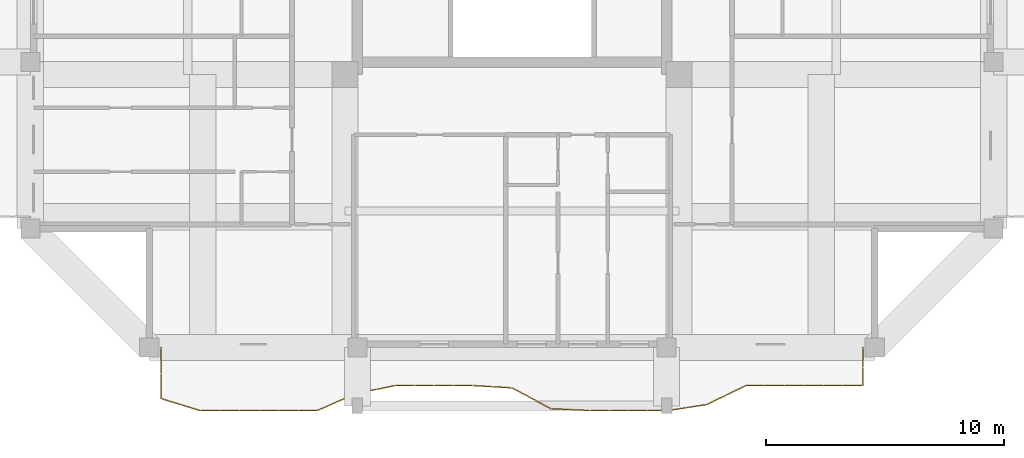
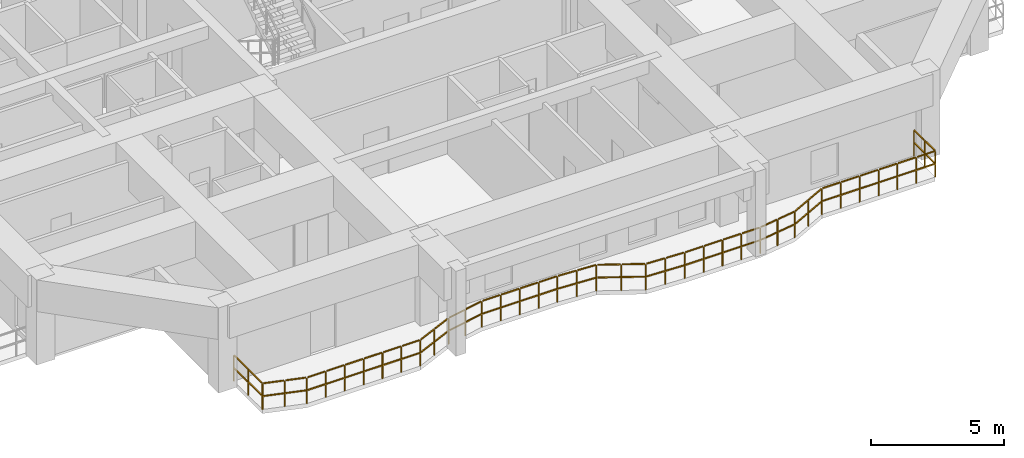
# One storey, part 9 of 13: 1 railing.
"""IFC4 building model written with IfcOpenShell, lengths in metres."""

from ifc_helpers import new_model, si_unit, direction, frame, origin, origin_2d, place, context, subcontext, project, spatial, rectangle, extrude, material, type_object, element, save


model = new_model("IFC4")

# Units and contexts
model_context = context("Model", 3, precision=1e-05, world=origin(), true_north=direction((0.0, 1.0)))
body_context = subcontext(model_context, "Body", "Model", "MODEL_VIEW")
ifc_project = project(units=[si_unit("LENGTHUNIT", "METRE"), si_unit("AREAUNIT", "SQUARE_METRE"), si_unit("VOLUMEUNIT", "CUBIC_METRE"), si_unit("PLANEANGLEUNIT", "RADIAN"), si_unit("MASSUNIT", "GRAM", prefix="KILO")], contexts=[model_context])

# Site, building, storey
site_placement = place(None, origin())
site = spatial("IfcSite", under=ifc_project, at=site_placement, CompositionType="ELEMENT")
building_placement = place(site_placement, origin())
building = spatial("IfcBuilding", under=site, at=building_placement, Name="Saelheon Loggia Tower", CompositionType="ELEMENT")
storey_placement = place(building_placement, frame((0.0, 0.0, 192.699951171875)))
storey = spatial("IfcBuildingStorey", under=building, at=storey_placement, Name="L60", CompositionType="ELEMENT", Elevation=192.699951171875)

# Railing
ifc_material = material(Name="Architectural Precast Concrete and Laminated Glass Guard", Category="concrete")
railing_type = type_object("IfcRailingType", Name="Guard_Loggia_RL_LOG", PredefinedType="BALUSTRADE", material=ifc_material)
railing_placement = place(storey_placement, frame((23.25, 6.0, 0.0)))
element("IfcRailing", 1, at=railing_placement, inside=storey, type_object=railing_type, Name="L60 South Loggia Balustrade", PredefinedType="BALUSTRADE", context=body_context, shape_type="SweptSolid", body=[
    extrude(rectangle(XDim=0.048095703125, YDim=0.048095703125, at=origin_2d()), frame((0.0, -0.033203125, 1.19580078125), z_axis=(0.0, -1.0, 0.0), x_axis=(1.0, 0.0, 0.0)), (0.0, 0.0, 1.0), 1.008544921875),
    extrude(rectangle(XDim=0.048095703125, YDim=0.048095703125, at=origin_2d()), frame((0.0, -0.033203125, 0.60986328125), z_axis=(0.0, -1.0, 0.0), x_axis=(1.0, 0.0, 0.0)), (0.0, 0.0, 1.0), 1.008544921875),
    extrude(rectangle(XDim=0.048095703125, YDim=0.048095703125, at=origin_2d()), frame((0.0, -1.108154296875, 1.19580078125), z_axis=(0.0, -1.0, 0.0), x_axis=(1.0, 0.0, 0.0)), (0.0, 0.0, 1.0), 1.008544921875),
    extrude(rectangle(XDim=0.048095703125, YDim=0.048095703125, at=origin_2d()), frame((0.0, -1.108154296875, 0.60986328125), z_axis=(0.0, -1.0, 0.0), x_axis=(1.0, 0.0, 0.0)), (0.0, 0.0, 1.0), 1.008544921875),
    extrude(rectangle(XDim=0.048095703125, YDim=0.048095703125, at=origin_2d()), frame((0.03173828125, -2.15966796875, 1.19580078125), z_axis=(0.956478678169, -0.291802224473, 0.0), x_axis=(0.291802224473, 0.956478678169, 0.0)), (0.0, 0.0, 1.0), 0.790283203125),
    extrude(rectangle(XDim=0.048095703125, YDim=0.048095703125, at=origin_2d()), frame((0.03173828125, -2.15966796875, 0.60986328125), z_axis=(0.956478678169, -0.291802224473, 0.0), x_axis=(0.291802224473, 0.956478678169, 0.0)), (0.0, 0.0, 1.0), 0.790283203125),
    extrude(rectangle(XDim=0.048095703125, YDim=0.048095703125, at=origin_2d()), frame((0.851318359375, -2.40966796875, 1.19580078125), z_axis=(0.956478678169, -0.291802224473, 0.0), x_axis=(0.291802224473, 0.956478678169, 0.0)), (0.0, 0.0, 1.0), 0.790283203125),
    extrude(rectangle(XDim=0.048095703125, YDim=0.048095703125, at=origin_2d()), frame((0.851318359375, -2.40966796875, 0.60986328125), z_axis=(0.956478678169, -0.291802224473, 0.0), x_axis=(0.291802224473, 0.956478678169, 0.0)), (0.0, 0.0, 1.0), 0.790283203125),
    extrude(rectangle(XDim=0.048095703125, YDim=0.048095703125, at=origin_2d()), frame((1.672119140625, -2.64990234375, 1.19580078125), z_axis=(1.0, 0.0, 0.0), x_axis=(0.0, 1.0, 0.0)), (0.0, 0.0, 1.0), 0.7529296875),
    extrude(rectangle(XDim=0.048095703125, YDim=0.048095703125, at=origin_2d()), frame((1.672119140625, -2.64990234375, 0.60986328125), z_axis=(1.0, 0.0, 0.0), x_axis=(0.0, 1.0, 0.0)), (0.0, 0.0, 1.0), 0.7529296875),
    extrude(rectangle(XDim=0.048095703125, YDim=0.048095703125, at=origin_2d()), frame((2.49169921875, -2.64990234375, 1.19580078125), z_axis=(1.0, 0.0, 0.0), x_axis=(0.0, 1.0, 0.0)), (0.0, 0.0, 1.0), 0.7529296875),
    extrude(rectangle(XDim=0.048095703125, YDim=0.048095703125, at=origin_2d()), frame((2.49169921875, -2.64990234375, 0.60986328125), z_axis=(1.0, 0.0, 0.0), x_axis=(0.0, 1.0, 0.0)), (0.0, 0.0, 1.0), 0.7529296875),
    extrude(rectangle(XDim=0.048095703125, YDim=0.048095703125, at=origin_2d()), frame((3.31103515625, -2.64990234375, 1.19580078125), z_axis=(1.0, 0.0, 0.0), x_axis=(0.0, 1.0, 0.0)), (0.0, 0.0, 1.0), 0.7529296875),
    extrude(rectangle(XDim=0.048095703125, YDim=0.048095703125, at=origin_2d()), frame((3.31103515625, -2.64990234375, 0.60986328125), z_axis=(1.0, 0.0, 0.0), x_axis=(0.0, 1.0, 0.0)), (0.0, 0.0, 1.0), 0.7529296875),
    extrude(rectangle(XDim=0.048095703125, YDim=0.048095703125, at=origin_2d()), frame((4.130615234375, -2.64990234375, 1.19580078125), z_axis=(1.0, 0.0, 0.0), x_axis=(0.0, 1.0, 0.0)), (0.0, 0.0, 1.0), 0.7529296875),
    extrude(rectangle(XDim=0.048095703125, YDim=0.048095703125, at=origin_2d()), frame((4.130615234375, -2.64990234375, 0.60986328125), z_axis=(1.0, 0.0, 0.0), x_axis=(0.0, 1.0, 0.0)), (0.0, 0.0, 1.0), 0.7529296875),
    extrude(rectangle(XDim=0.048095703125, YDim=0.048095703125, at=origin_2d()), frame((4.949951171875, -2.64990234375, 1.19580078125), z_axis=(1.0, 0.0, 0.0), x_axis=(0.0, 1.0, 0.0)), (0.0, 0.0, 1.0), 0.7529296875),
    extrude(rectangle(XDim=0.048095703125, YDim=0.048095703125, at=origin_2d()), frame((4.949951171875, -2.64990234375, 0.60986328125), z_axis=(1.0, 0.0, 0.0), x_axis=(0.0, 1.0, 0.0)), (0.0, 0.0, 1.0), 0.7529296875),
    extrude(rectangle(XDim=0.048095703125, YDim=0.048095703125, at=origin_2d()), frame((5.76953125, -2.64990234375, 1.19580078125), z_axis=(1.0, 0.0, 0.0), x_axis=(0.0, 1.0, 0.0)), (0.0, 0.0, 1.0), 0.7529296875),
    extrude(rectangle(XDim=0.048095703125, YDim=0.048095703125, at=origin_2d()), frame((5.76953125, -2.64990234375, 0.60986328125), z_axis=(1.0, 0.0, 0.0), x_axis=(0.0, 1.0, 0.0)), (0.0, 0.0, 1.0), 0.7529296875),
    extrude(rectangle(XDim=0.048095703125, YDim=0.048095703125, at=origin_2d()), frame((6.586181640625, -2.63671875, 1.19580078125), z_axis=(0.916833185944, 0.399270471173, 0.0), x_axis=(-0.399270471173, 0.916833185944, 0.0)), (0.0, 0.0, 1.0), 0.8271484375),
    extrude(rectangle(XDim=0.048095703125, YDim=0.048095703125, at=origin_2d()), frame((6.586181640625, -2.63671875, 0.60986328125), z_axis=(0.916833185944, 0.399270471173, 0.0), x_axis=(-0.399270471173, 0.916833185944, 0.0)), (0.0, 0.0, 1.0), 0.8271484375),
    extrude(rectangle(XDim=0.048095703125, YDim=0.048095703125, at=origin_2d()), frame((7.405517578125, -2.27978515625, 1.19580078125), z_axis=(0.916833185944, 0.399270471173, 0.0), x_axis=(-0.399270471173, 0.916833185944, 0.0)), (0.0, 0.0, 1.0), 0.8271484375),
    extrude(rectangle(XDim=0.048095703125, YDim=0.048095703125, at=origin_2d()), frame((7.405517578125, -2.27978515625, 0.60986328125), z_axis=(0.916833185944, 0.399270471173, 0.0), x_axis=(-0.399270471173, 0.916833185944, 0.0)), (0.0, 0.0, 1.0), 0.8271484375),
    extrude(rectangle(XDim=0.048095703125, YDim=0.048095703125, at=origin_2d()), frame((8.226806640625, -1.9296875, 1.19580078125), z_axis=(0.979603437172, 0.200940553104, 0.0), x_axis=(-0.200940553104, 0.979603437172, 0.0)), (0.0, 0.0, 1.0), 0.77001953125),
    extrude(rectangle(XDim=0.048095703125, YDim=0.048095703125, at=origin_2d()), frame((8.226806640625, -1.9296875, 0.60986328125), z_axis=(0.979603437172, 0.200940553104, 0.0), x_axis=(-0.200940553104, 0.979603437172, 0.0)), (0.0, 0.0, 1.0), 0.77001953125),
    extrude(rectangle(XDim=0.048095703125, YDim=0.048095703125, at=origin_2d()), frame((9.04638671875, -1.761474609375, 1.19580078125), z_axis=(0.979603437172, 0.200940553104, 0.0), x_axis=(-0.200940553104, 0.979603437172, 0.0)), (0.0, 0.0, 1.0), 0.77001953125),
    extrude(rectangle(XDim=0.048095703125, YDim=0.048095703125, at=origin_2d()), frame((9.04638671875, -1.761474609375, 0.60986328125), z_axis=(0.979603437172, 0.200940553104, 0.0), x_axis=(-0.200940553104, 0.979603437172, 0.0)), (0.0, 0.0, 1.0), 0.77001953125),
    extrude(rectangle(XDim=0.048095703125, YDim=0.048095703125, at=origin_2d()), frame((9.866455078125, -1.60009765625, 1.19580078125), z_axis=(1.0, 0.0, 0.0), x_axis=(0.0, 1.0, 0.0)), (0.0, 0.0, 1.0), 0.7529296875),
    extrude(rectangle(XDim=0.048095703125, YDim=0.048095703125, at=origin_2d()), frame((9.866455078125, -1.60009765625, 0.60986328125), z_axis=(1.0, 0.0, 0.0), x_axis=(0.0, 1.0, 0.0)), (0.0, 0.0, 1.0), 0.7529296875),
    extrude(rectangle(XDim=0.048095703125, YDim=0.048095703125, at=origin_2d()), frame((10.68603515625, -1.60009765625, 1.19580078125), z_axis=(1.0, 0.0, 0.0), x_axis=(0.0, 1.0, 0.0)), (0.0, 0.0, 1.0), 0.7529296875),
    extrude(rectangle(XDim=0.048095703125, YDim=0.048095703125, at=origin_2d()), frame((10.68603515625, -1.60009765625, 0.60986328125), z_axis=(1.0, 0.0, 0.0), x_axis=(0.0, 1.0, 0.0)), (0.0, 0.0, 1.0), 0.7529296875),
    extrude(rectangle(XDim=0.048095703125, YDim=0.048095703125, at=origin_2d()), frame((11.50537109375, -1.60009765625, 1.19580078125), z_axis=(1.0, 0.0, 0.0), x_axis=(0.0, 1.0, 0.0)), (0.0, 0.0, 1.0), 0.7529296875),
    extrude(rectangle(XDim=0.048095703125, YDim=0.048095703125, at=origin_2d()), frame((11.50537109375, -1.60009765625, 0.60986328125), z_axis=(1.0, 0.0, 0.0), x_axis=(0.0, 1.0, 0.0)), (0.0, 0.0, 1.0), 0.7529296875),
    extrude(rectangle(XDim=0.048095703125, YDim=0.048095703125, at=origin_2d()), frame((12.324951171875, -1.60009765625, 1.19580078125), z_axis=(1.0, 0.0, 0.0), x_axis=(0.0, 1.0, 0.0)), (0.0, 0.0, 1.0), 0.7529296875),
    extrude(rectangle(XDim=0.048095703125, YDim=0.048095703125, at=origin_2d()), frame((12.324951171875, -1.60009765625, 0.60986328125), z_axis=(1.0, 0.0, 0.0), x_axis=(0.0, 1.0, 0.0)), (0.0, 0.0, 1.0), 0.7529296875),
    extrude(rectangle(XDim=0.048095703125, YDim=0.048095703125, at=origin_2d()), frame((13.144287109375, -1.60205078125, 1.19580078125), z_axis=(0.998264616616, -0.058887649066, 0.0), x_axis=(0.058887649066, 0.998264616616, 0.0)), (0.0, 0.0, 1.0), 0.75439453125),
    extrude(rectangle(XDim=0.048095703125, YDim=0.048095703125, at=origin_2d()), frame((13.144287109375, -1.60205078125, 0.60986328125), z_axis=(0.998264616616, -0.058887649066, 0.0), x_axis=(0.058887649066, 0.998264616616, 0.0)), (0.0, 0.0, 1.0), 0.75439453125),
    extrude(rectangle(XDim=0.048095703125, YDim=0.048095703125, at=origin_2d()), frame((13.963623046875, -1.650390625, 1.19580078125), z_axis=(0.998264616616, -0.058887649066, 0.0), x_axis=(0.058887649066, 0.998264616616, 0.0)), (0.0, 0.0, 1.0), 0.75439453125),
    extrude(rectangle(XDim=0.048095703125, YDim=0.048095703125, at=origin_2d()), frame((13.963623046875, -1.650390625, 0.60986328125), z_axis=(0.998264616616, -0.058887649066, 0.0), x_axis=(0.058887649066, 0.998264616616, 0.0)), (0.0, 0.0, 1.0), 0.75439453125),
    extrude(rectangle(XDim=0.048095703125, YDim=0.048095703125, at=origin_2d()), frame((14.779296875, -1.71240234375, 1.19580078125), z_axis=(0.882149151699, -0.47097014147, 0.0), x_axis=(0.47097014147, 0.882149151699, 0.0)), (0.0, 0.0, 1.0), 0.862548828125),
    extrude(rectangle(XDim=0.048095703125, YDim=0.048095703125, at=origin_2d()), frame((14.779296875, -1.71240234375, 0.60986328125), z_axis=(0.882149151699, -0.47097014147, 0.0), x_axis=(0.47097014147, 0.882149151699, 0.0)), (0.0, 0.0, 1.0), 0.862548828125),
    extrude(rectangle(XDim=0.048095703125, YDim=0.048095703125, at=origin_2d()), frame((15.598876953125, -2.14990234375, 1.19580078125), z_axis=(0.882149151699, -0.47097014147, 0.0), x_axis=(0.47097014147, 0.882149151699, 0.0)), (0.0, 0.0, 1.0), 0.862548828125),
    extrude(rectangle(XDim=0.048095703125, YDim=0.048095703125, at=origin_2d()), frame((15.598876953125, -2.14990234375, 0.60986328125), z_axis=(0.882149151699, -0.47097014147, 0.0), x_axis=(0.47097014147, 0.882149151699, 0.0)), (0.0, 0.0, 1.0), 0.862548828125),
    extrude(rectangle(XDim=0.048095703125, YDim=0.048095703125, at=origin_2d()), frame((16.422119140625, -2.5732421875, 1.19580078125), z_axis=(0.998865780005, -0.047614635722, 0.0), x_axis=(0.047614635722, 0.998865780005, 0.0)), (0.0, 0.0, 1.0), 0.75390625),
    extrude(rectangle(XDim=0.048095703125, YDim=0.048095703125, at=origin_2d()), frame((16.422119140625, -2.5732421875, 0.60986328125), z_axis=(0.998865780005, -0.047614635722, 0.0), x_axis=(0.047614635722, 0.998865780005, 0.0)), (0.0, 0.0, 1.0), 0.75390625),
    extrude(rectangle(XDim=0.048095703125, YDim=0.048095703125, at=origin_2d()), frame((17.241455078125, -2.6123046875, 1.19580078125), z_axis=(0.998865780005, -0.047614635722, 0.0), x_axis=(0.047614635722, 0.998865780005, 0.0)), (0.0, 0.0, 1.0), 0.75390625),
    extrude(rectangle(XDim=0.048095703125, YDim=0.048095703125, at=origin_2d()), frame((17.241455078125, -2.6123046875, 0.60986328125), z_axis=(0.998865780005, -0.047614635722, 0.0), x_axis=(0.047614635722, 0.998865780005, 0.0)), (0.0, 0.0, 1.0), 0.75390625),
    extrude(rectangle(XDim=0.048095703125, YDim=0.048095703125, at=origin_2d()), frame((18.06103515625, -2.64990234375, 1.19580078125), z_axis=(1.0, 0.0, 0.0), x_axis=(0.0, 1.0, 0.0)), (0.0, 0.0, 1.0), 0.7529296875),
    extrude(rectangle(XDim=0.048095703125, YDim=0.048095703125, at=origin_2d()), frame((18.06103515625, -2.64990234375, 0.60986328125), z_axis=(1.0, 0.0, 0.0), x_axis=(0.0, 1.0, 0.0)), (0.0, 0.0, 1.0), 0.7529296875),
    extrude(rectangle(XDim=0.048095703125, YDim=0.048095703125, at=origin_2d()), frame((18.880615234375, -2.64990234375, 1.19580078125), z_axis=(1.0, 0.0, 0.0), x_axis=(0.0, 1.0, 0.0)), (0.0, 0.0, 1.0), 0.7529296875),
    extrude(rectangle(XDim=0.048095703125, YDim=0.048095703125, at=origin_2d()), frame((18.880615234375, -2.64990234375, 0.60986328125), z_axis=(1.0, 0.0, 0.0), x_axis=(0.0, 1.0, 0.0)), (0.0, 0.0, 1.0), 0.7529296875),
    extrude(rectangle(XDim=0.048095703125, YDim=0.048095703125, at=origin_2d()), frame((19.699951171875, -2.64990234375, 1.19580078125), z_axis=(1.0, 0.0, 0.0), x_axis=(0.0, 1.0, 0.0)), (0.0, 0.0, 1.0), 0.7529296875),
    extrude(rectangle(XDim=0.048095703125, YDim=0.048095703125, at=origin_2d()), frame((19.699951171875, -2.64990234375, 0.60986328125), z_axis=(1.0, 0.0, 0.0), x_axis=(0.0, 1.0, 0.0)), (0.0, 0.0, 1.0), 0.7529296875),
    extrude(rectangle(XDim=0.048095703125, YDim=0.048095703125, at=origin_2d()), frame((20.51953125, -2.64990234375, 1.19580078125), z_axis=(1.0, 0.0, 0.0), x_axis=(0.0, 1.0, 0.0)), (0.0, 0.0, 1.0), 0.7529296875),
    extrude(rectangle(XDim=0.048095703125, YDim=0.048095703125, at=origin_2d()), frame((20.51953125, -2.64990234375, 0.60986328125), z_axis=(1.0, 0.0, 0.0), x_axis=(0.0, 1.0, 0.0)), (0.0, 0.0, 1.0), 0.7529296875),
    extrude(rectangle(XDim=0.048095703125, YDim=0.048095703125, at=origin_2d()), frame((21.338623046875, -2.644775390625, 1.19580078125), z_axis=(0.988229995163, 0.152975411945, 0.0), x_axis=(-0.152975411945, 0.988229995163, 0.0)), (0.0, 0.0, 1.0), 0.7626953125),
    extrude(rectangle(XDim=0.048095703125, YDim=0.048095703125, at=origin_2d()), frame((21.338623046875, -2.644775390625, 0.60986328125), z_axis=(0.988229995163, 0.152975411945, 0.0), x_axis=(-0.152975411945, 0.988229995163, 0.0)), (0.0, 0.0, 1.0), 0.7626953125),
    extrude(rectangle(XDim=0.048095703125, YDim=0.048095703125, at=origin_2d()), frame((22.157958984375, -2.51806640625, 1.19580078125), z_axis=(0.988229995163, 0.152975411945, 0.0), x_axis=(-0.152975411945, 0.988229995163, 0.0)), (0.0, 0.0, 1.0), 0.7626953125),
    extrude(rectangle(XDim=0.048095703125, YDim=0.048095703125, at=origin_2d()), frame((22.157958984375, -2.51806640625, 0.60986328125), z_axis=(0.988229995163, 0.152975411945, 0.0), x_axis=(-0.152975411945, 0.988229995163, 0.0)), (0.0, 0.0, 1.0), 0.7626953125),
    extrude(rectangle(XDim=0.048095703125, YDim=0.048095703125, at=origin_2d()), frame((22.97412109375, -2.3818359375, 1.19580078125), z_axis=(0.899487094087, 0.436947328142, 0.0), x_axis=(-0.436947328142, 0.899487094087, 0.0)), (0.0, 0.0, 1.0), 0.844482421875),
    extrude(rectangle(XDim=0.048095703125, YDim=0.048095703125, at=origin_2d()), frame((22.97412109375, -2.3818359375, 0.60986328125), z_axis=(0.899487094087, 0.436947328142, 0.0), x_axis=(-0.436947328142, 0.899487094087, 0.0)), (0.0, 0.0, 1.0), 0.844482421875),
    extrude(rectangle(XDim=0.048095703125, YDim=0.048095703125, at=origin_2d()), frame((23.793701171875, -1.983642578125, 1.19580078125), z_axis=(0.899487094087, 0.436947328142, 0.0), x_axis=(-0.436947328142, 0.899487094087, 0.0)), (0.0, 0.0, 1.0), 0.844482421875),
    extrude(rectangle(XDim=0.048095703125, YDim=0.048095703125, at=origin_2d()), frame((23.793701171875, -1.983642578125, 0.60986328125), z_axis=(0.899487094087, 0.436947328142, 0.0), x_axis=(-0.436947328142, 0.899487094087, 0.0)), (0.0, 0.0, 1.0), 0.844482421875),
    extrude(rectangle(XDim=0.048095703125, YDim=0.048095703125, at=origin_2d()), frame((24.616455078125, -1.60009765625, 1.19580078125), z_axis=(1.0, 0.0, 0.0), x_axis=(0.0, 1.0, 0.0)), (0.0, 0.0, 1.0), 0.7529296875),
    extrude(rectangle(XDim=0.048095703125, YDim=0.048095703125, at=origin_2d()), frame((24.616455078125, -1.60009765625, 0.60986328125), z_axis=(1.0, 0.0, 0.0), x_axis=(0.0, 1.0, 0.0)), (0.0, 0.0, 1.0), 0.7529296875),
    extrude(rectangle(XDim=0.048095703125, YDim=0.048095703125, at=origin_2d()), frame((25.43603515625, -1.60009765625, 1.19580078125), z_axis=(1.0, 0.0, 0.0), x_axis=(0.0, 1.0, 0.0)), (0.0, 0.0, 1.0), 0.7529296875),
    extrude(rectangle(XDim=0.048095703125, YDim=0.048095703125, at=origin_2d()), frame((25.43603515625, -1.60009765625, 0.60986328125), z_axis=(1.0, 0.0, 0.0), x_axis=(0.0, 1.0, 0.0)), (0.0, 0.0, 1.0), 0.7529296875),
    extrude(rectangle(XDim=0.048095703125, YDim=0.048095703125, at=origin_2d()), frame((26.25537109375, -1.60009765625, 1.19580078125), z_axis=(1.0, 0.0, 0.0), x_axis=(0.0, 1.0, 0.0)), (0.0, 0.0, 1.0), 0.7529296875),
    extrude(rectangle(XDim=0.048095703125, YDim=0.048095703125, at=origin_2d()), frame((26.25537109375, -1.60009765625, 0.60986328125), z_axis=(1.0, 0.0, 0.0), x_axis=(0.0, 1.0, 0.0)), (0.0, 0.0, 1.0), 0.7529296875),
    extrude(rectangle(XDim=0.048095703125, YDim=0.048095703125, at=origin_2d()), frame((27.074951171875, -1.60009765625, 1.19580078125), z_axis=(1.0, 0.0, 0.0), x_axis=(0.0, 1.0, 0.0)), (0.0, 0.0, 1.0), 0.7529296875),
    extrude(rectangle(XDim=0.048095703125, YDim=0.048095703125, at=origin_2d()), frame((27.074951171875, -1.60009765625, 0.60986328125), z_axis=(1.0, 0.0, 0.0), x_axis=(0.0, 1.0, 0.0)), (0.0, 0.0, 1.0), 0.7529296875),
    extrude(rectangle(XDim=0.048095703125, YDim=0.048095703125, at=origin_2d()), frame((27.894287109375, -1.60009765625, 1.19580078125), z_axis=(1.0, 0.0, 0.0), x_axis=(0.0, 1.0, 0.0)), (0.0, 0.0, 1.0), 0.7529296875),
    extrude(rectangle(XDim=0.048095703125, YDim=0.048095703125, at=origin_2d()), frame((27.894287109375, -1.60009765625, 0.60986328125), z_axis=(1.0, 0.0, 0.0), x_axis=(0.0, 1.0, 0.0)), (0.0, 0.0, 1.0), 0.7529296875),
    extrude(rectangle(XDim=0.048095703125, YDim=0.048095703125, at=origin_2d()), frame((28.7138671875, -1.60009765625, 1.19580078125), z_axis=(1.0, 0.0, 0.0), x_axis=(0.0, 1.0, 0.0)), (0.0, 0.0, 1.0), 0.7529296875),
    extrude(rectangle(XDim=0.048095703125, YDim=0.048095703125, at=origin_2d()), frame((28.7138671875, -1.60009765625, 0.60986328125), z_axis=(1.0, 0.0, 0.0), x_axis=(0.0, 1.0, 0.0)), (0.0, 0.0, 1.0), 0.7529296875),
    extrude(rectangle(XDim=0.048095703125, YDim=0.048095703125, at=origin_2d()), frame((29.5, -1.56689453125, 1.19580078125), z_axis=(0.0, 1.0, 0.0), x_axis=(-1.0, 0.0, 0.0)), (0.0, 0.0, 1.0), 0.733642578125),
    extrude(rectangle(XDim=0.048095703125, YDim=0.048095703125, at=origin_2d()), frame((29.5, -1.56689453125, 0.60986328125), z_axis=(0.0, 1.0, 0.0), x_axis=(-1.0, 0.0, 0.0)), (0.0, 0.0, 1.0), 0.733642578125),
    extrude(rectangle(XDim=0.048095703125, YDim=0.048095703125, at=origin_2d()), frame((29.5, -0.766845703125, 1.19580078125), z_axis=(0.0, 1.0, 0.0), x_axis=(-1.0, 0.0, 0.0)), (0.0, 0.0, 1.0), 0.733642578125),
    extrude(rectangle(XDim=0.048095703125, YDim=0.048095703125, at=origin_2d()), frame((29.5, -0.766845703125, 0.60986328125), z_axis=(0.0, 1.0, 0.0), x_axis=(-1.0, 0.0, 0.0)), (0.0, 0.0, 1.0), 0.733642578125),
    extrude(rectangle(XDim=0.0419921875, YDim=0.0419921875, at=origin_2d()), origin(), (0.0, 0.0, 1.0), 1.16796875),
    extrude(rectangle(XDim=0.0419921875, YDim=0.0419921875, at=origin_2d()), frame((0.0, -1.074951171875, 0.0)), (0.0, 0.0, 1.0), 1.16796875),
    extrude(rectangle(XDim=0.0419921875, YDim=0.0419921875, at=origin_2d()), frame((0.0, -2.14990234375, 0.0)), (0.0, 0.0, 1.0), 1.16796875),
    extrude(rectangle(XDim=0.0419921875, YDim=0.0419921875, at=origin_2d()), frame((0.8193359375, -2.39990234375, 0.0)), (0.0, 0.0, 1.0), 1.16796875),
    extrude(rectangle(XDim=0.0419921875, YDim=0.0419921875, at=origin_2d()), frame((1.638916015625, -2.64990234375, 0.0)), (0.0, 0.0, 1.0), 1.16796875),
    extrude(rectangle(XDim=0.0419921875, YDim=0.0419921875, at=origin_2d()), frame((2.45849609375, -2.64990234375, 0.0)), (0.0, 0.0, 1.0), 1.16796875),
    extrude(rectangle(XDim=0.0419921875, YDim=0.0419921875, at=origin_2d()), frame((3.27783203125, -2.64990234375, 0.0)), (0.0, 0.0, 1.0), 1.16796875),
    extrude(rectangle(XDim=0.0419921875, YDim=0.0419921875, at=origin_2d()), frame((4.09716796875, -2.64990234375, 0.0)), (0.0, 0.0, 1.0), 1.16796875),
    extrude(rectangle(XDim=0.0419921875, YDim=0.0419921875, at=origin_2d()), frame((4.916748046875, -2.64990234375, 0.0)), (0.0, 0.0, 1.0), 1.16796875),
    extrude(rectangle(XDim=0.0419921875, YDim=0.0419921875, at=origin_2d()), frame((5.736328125, -2.64990234375, 0.0)), (0.0, 0.0, 1.0), 1.16796875),
    extrude(rectangle(XDim=0.0419921875, YDim=0.0419921875, at=origin_2d()), frame((6.5556640625, -2.64990234375, 0.0)), (0.0, 0.0, 1.0), 1.16796875),
    extrude(rectangle(XDim=0.0419921875, YDim=0.0419921875, at=origin_2d()), frame((7.375, -2.29296875, 0.0)), (0.0, 0.0, 1.0), 1.16796875),
    extrude(rectangle(XDim=0.0419921875, YDim=0.0419921875, at=origin_2d()), frame((8.1943359375, -1.936279296875, 0.0)), (0.0, 0.0, 1.0), 1.16796875),
    extrude(rectangle(XDim=0.0419921875, YDim=0.0419921875, at=origin_2d()), frame((9.013671875, -1.76806640625, 0.0)), (0.0, 0.0, 1.0), 1.16796875),
    extrude(rectangle(XDim=0.0419921875, YDim=0.0419921875, at=origin_2d()), frame((9.833251953125, -1.60009765625, 0.0)), (0.0, 0.0, 1.0), 1.16796875),
    extrude(rectangle(XDim=0.0419921875, YDim=0.0419921875, at=origin_2d()), frame((10.65283203125, -1.60009765625, 0.0)), (0.0, 0.0, 1.0), 1.16796875),
    extrude(rectangle(XDim=0.0419921875, YDim=0.0419921875, at=origin_2d()), frame((11.47216796875, -1.60009765625, 0.0)), (0.0, 0.0, 1.0), 1.16796875),
    extrude(rectangle(XDim=0.0419921875, YDim=0.0419921875, at=origin_2d()), frame((12.29150390625, -1.60009765625, 0.0)), (0.0, 0.0, 1.0), 1.16796875),
    extrude(rectangle(XDim=0.0419921875, YDim=0.0419921875, at=origin_2d()), frame((13.111083984375, -1.60009765625, 0.0)), (0.0, 0.0, 1.0), 1.16796875),
    extrude(rectangle(XDim=0.0419921875, YDim=0.0419921875, at=origin_2d()), frame((13.9306640625, -1.6484375, 0.0)), (0.0, 0.0, 1.0), 1.16796875),
    extrude(rectangle(XDim=0.0419921875, YDim=0.0419921875, at=origin_2d()), frame((14.75, -1.69677734375, 0.0)), (0.0, 0.0, 1.0), 1.16796875),
    extrude(rectangle(XDim=0.0419921875, YDim=0.0419921875, at=origin_2d()), frame((15.5693359375, -2.13427734375, 0.0)), (0.0, 0.0, 1.0), 1.16796875),
    extrude(rectangle(XDim=0.0419921875, YDim=0.0419921875, at=origin_2d()), frame((16.388916015625, -2.57177734375, 0.0)), (0.0, 0.0, 1.0), 1.16796875),
    extrude(rectangle(XDim=0.0419921875, YDim=0.0419921875, at=origin_2d()), frame((17.20849609375, -2.61083984375, 0.0)), (0.0, 0.0, 1.0), 1.16796875),
    extrude(rectangle(XDim=0.0419921875, YDim=0.0419921875, at=origin_2d()), frame((18.02783203125, -2.64990234375, 0.0)), (0.0, 0.0, 1.0), 1.16796875),
    extrude(rectangle(XDim=0.0419921875, YDim=0.0419921875, at=origin_2d()), frame((18.84716796875, -2.64990234375, 0.0)), (0.0, 0.0, 1.0), 1.16796875),
    extrude(rectangle(XDim=0.0419921875, YDim=0.0419921875, at=origin_2d()), frame((19.666748046875, -2.64990234375, 0.0)), (0.0, 0.0, 1.0), 1.16796875),
    extrude(rectangle(XDim=0.0419921875, YDim=0.0419921875, at=origin_2d()), frame((20.486328125, -2.64990234375, 0.0)), (0.0, 0.0, 1.0), 1.16796875),
    extrude(rectangle(XDim=0.0419921875, YDim=0.0419921875, at=origin_2d()), frame((21.3056640625, -2.64990234375, 0.0)), (0.0, 0.0, 1.0), 1.16796875),
    extrude(rectangle(XDim=0.0419921875, YDim=0.0419921875, at=origin_2d()), frame((22.125, -2.52294921875, 0.0)), (0.0, 0.0, 1.0), 1.16796875),
    extrude(rectangle(XDim=0.0419921875, YDim=0.0419921875, at=origin_2d()), frame((22.9443359375, -2.396240234375, 0.0)), (0.0, 0.0, 1.0), 1.16796875),
    extrude(rectangle(XDim=0.0419921875, YDim=0.0419921875, at=origin_2d()), frame((23.763671875, -1.998046875, 0.0)), (0.0, 0.0, 1.0), 1.16796875),
    extrude(rectangle(XDim=0.0419921875, YDim=0.0419921875, at=origin_2d()), frame((24.583251953125, -1.60009765625, 0.0)), (0.0, 0.0, 1.0), 1.16796875),
    extrude(rectangle(XDim=0.0419921875, YDim=0.0419921875, at=origin_2d()), frame((25.40283203125, -1.60009765625, 0.0)), (0.0, 0.0, 1.0), 1.16796875),
    extrude(rectangle(XDim=0.0419921875, YDim=0.0419921875, at=origin_2d()), frame((26.22216796875, -1.60009765625, 0.0)), (0.0, 0.0, 1.0), 1.16796875),
    extrude(rectangle(XDim=0.0419921875, YDim=0.0419921875, at=origin_2d()), frame((27.04150390625, -1.60009765625, 0.0)), (0.0, 0.0, 1.0), 1.16796875),
    extrude(rectangle(XDim=0.0419921875, YDim=0.0419921875, at=origin_2d()), frame((27.861083984375, -1.60009765625, 0.0)), (0.0, 0.0, 1.0), 1.16796875),
    extrude(rectangle(XDim=0.0419921875, YDim=0.0419921875, at=origin_2d()), frame((28.6806640625, -1.60009765625, 0.0)), (0.0, 0.0, 1.0), 1.16796875),
    extrude(rectangle(XDim=0.0419921875, YDim=0.0419921875, at=origin_2d()), frame((29.5, -1.60009765625, 0.0)), (0.0, 0.0, 1.0), 1.16796875),
    extrude(rectangle(XDim=0.0419921875, YDim=0.0419921875, at=origin_2d()), frame((29.5, -0.800048828125, 0.0)), (0.0, 0.0, 1.0), 1.16796875),
    extrude(rectangle(XDim=0.0419921875, YDim=0.0419921875, at=origin_2d()), frame((29.5, 0.0, 0.0)), (0.0, 0.0, 1.0), 1.16796875),
])

save(model, "model.ifc")
